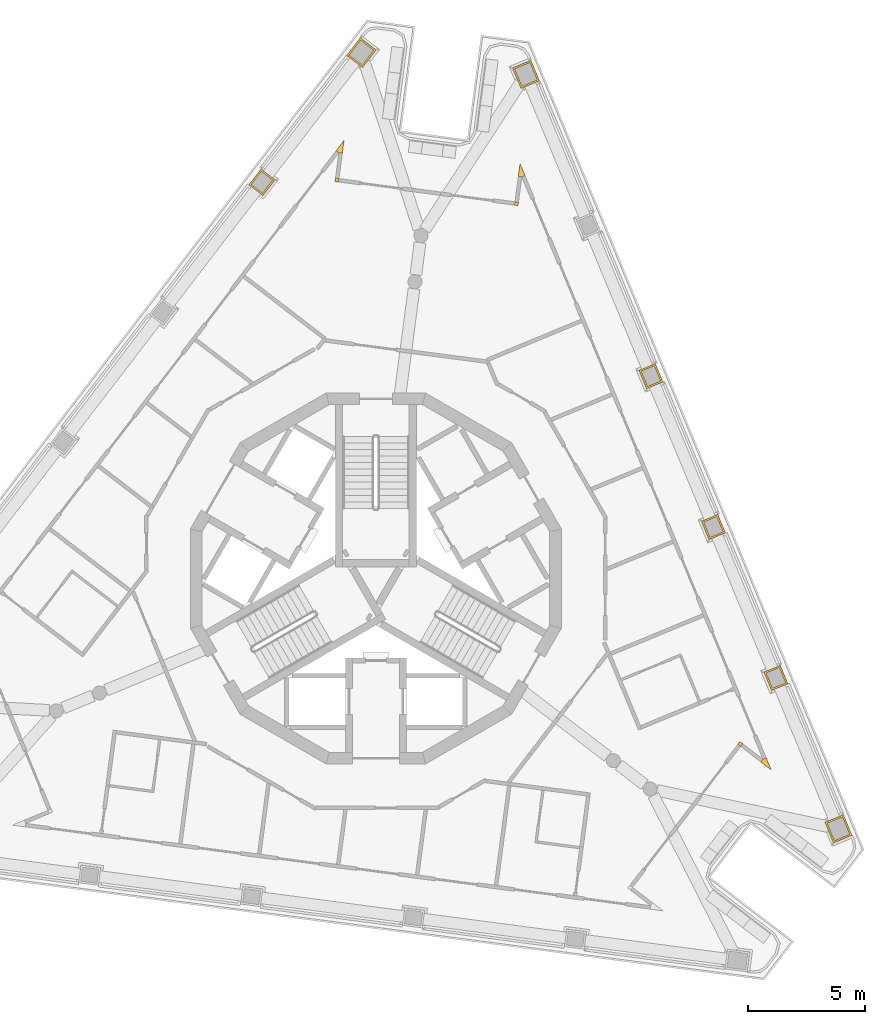
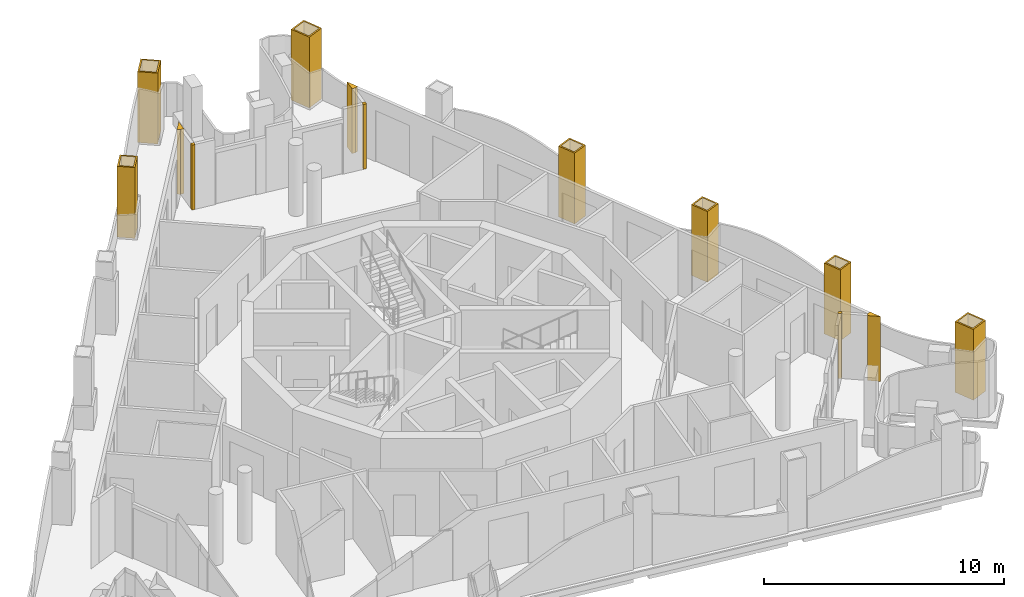
# One storey, part 11 of 12: 13 coverings.
"""IFC4 building model written with IfcOpenShell, lengths in metres."""

from ifc_helpers import new_model, si_unit, direction, frame, origin, place, context, subcontext, project, spatial, polyline, outline, extrude, material, layer, layer_set, type_object, element, save


model = new_model("IFC4")

# Units and contexts
model_context = context("Model", 3, precision=1e-05, world=origin(), true_north=direction((0.0, 1.0)))
body_context = subcontext(model_context, "Body", "Model", "MODEL_VIEW")
ifc_project = project(units=[si_unit("LENGTHUNIT", "METRE"), si_unit("AREAUNIT", "SQUARE_METRE"), si_unit("VOLUMEUNIT", "CUBIC_METRE"), si_unit("PLANEANGLEUNIT", "RADIAN"), si_unit("MASSUNIT", "GRAM", prefix="KILO")], contexts=[model_context])

# Site, building, storey
site_placement = place(None, origin())
site = spatial("IfcSite", under=ifc_project, at=site_placement, CompositionType="ELEMENT")
building_placement = place(site_placement, origin())
building = spatial("IfcBuilding", under=site, at=building_placement, Name="Trine Commons Tower", CompositionType="ELEMENT")
storey_placement = place(building_placement, frame((0.0, 0.0, 275.39990234375)))
storey = spatial("IfcBuildingStorey", under=building, at=storey_placement, Name="L72", CompositionType="ELEMENT", Elevation=275.39990234375)

# Coverings
ifc_material_1 = material(Name="Aluminium-framed insulated wall panel", Category="aluminium")
ifc_layer_1 = layer(ifc_material_1, 0.14990234375)
ifc_layer_set_1 = layer_set([ifc_layer_1], Name="Aluminium-framed insulated wall panel")
covering_type_1 = type_object("IfcCoveringType", Name="Glazing corner post, aluminium", PredefinedType="CLADDING", material=ifc_layer_set_1)
covering_1_placement = place(storey_placement, origin())
element("IfcCovering", 1, at=covering_1_placement, inside=storey, type_object=covering_type_1, Name="Glazing corner post 8-02", PredefinedType="CLADDING", context=body_context, shape_type="SweptSolid", body=[
    extrude(outline(polyline([(78.41845703125, 80.671875), (78.567138671875, 80.652099609375), (78.64013671875, 81.207275390625), (78.29931640625, 80.76318359375), (78.41845703125, 80.671875), (78.41845703125, 80.671875)])), origin(), (0.0, 0.0, 1.0), 3.300048828125),
])
covering_2_placement = place(storey_placement, origin())
element("IfcCovering", 2, at=covering_2_placement, inside=storey, type_object=covering_type_1, Name="Glazing corner post 8-03", PredefinedType="CLADDING", context=body_context, shape_type="SweptSolid", body=[
    extrude(outline(polyline([(78.40576171875, 79.427001953125), (78.42529296875, 79.57568359375), (78.276611328125, 79.59521484375), (78.257080078125, 79.446533203125), (78.40576171875, 79.427001953125)])), origin(), (0.0, 0.0, 1.0), 3.300048828125),
])
covering_3_placement = place(storey_placement, origin())
element("IfcCovering", 3, at=covering_3_placement, inside=storey, type_object=covering_type_1, Name="Glazing corner post 8-04", PredefinedType="CLADDING", context=body_context, shape_type="SweptSolid", body=[
    extrude(outline(polyline([(85.9208984375, 78.437744140625), (86.069580078125, 78.418212890625), (86.089111328125, 78.56689453125), (85.9404296875, 78.58642578125), (85.9208984375, 78.437744140625)])), origin(), (0.0, 0.0, 1.0), 3.300048828125),
])
covering_4_placement = place(storey_placement, origin())
element("IfcCovering", 4, at=covering_4_placement, inside=storey, type_object=covering_type_1, Name="Glazing corner post 8-05", PredefinedType="CLADDING", context=body_context, shape_type="SweptSolid", body=[
    extrude(outline(polyline([(86.082275390625, 79.662841796875), (86.23095703125, 79.643310546875), (86.369384765625, 79.70068359375), (86.1552734375, 80.2177734375), (86.082275390625, 79.662841796875)])), origin(), (0.0, 0.0, 1.0), 3.300048828125),
])
covering_5_placement = place(storey_placement, origin())
element("IfcCovering", 5, at=covering_5_placement, inside=storey, type_object=covering_type_1, Name="Glazing corner post 8-06", PredefinedType="CLADDING", context=body_context, shape_type="SweptSolid", body=[
    extrude(outline(polyline([(96.436767578125, 54.664794921875), (96.880859375, 54.32421875), (96.66650390625, 54.84130859375), (96.528076171875, 54.783935546875), (96.436767578125, 54.664794921875)])), origin(), (0.0, 0.0, 1.0), 3.300048828125),
])
covering_6_placement = place(storey_placement, origin())
element("IfcCovering", 6, at=covering_6_placement, inside=storey, type_object=covering_type_1, Name="Glazing corner post 8-07", PredefinedType="CLADDING", context=body_context, shape_type="SweptSolid", body=[
    extrude(outline(polyline([(95.456298828125, 55.4169921875), (95.575439453125, 55.32568359375), (95.666748046875, 55.44482421875), (95.547607421875, 55.5361328125), (95.456298828125, 55.4169921875)])), origin(), (0.0, 0.0, 1.0), 3.300048828125),
])
ifc_material_2 = material(Name="Limestone, honed", Category="masonry")
ifc_layer_2 = layer(ifc_material_2, 0.074951171875)
ifc_layer_set_2 = layer_set([ifc_layer_2], Name="Limestone, honed")
covering_type_2 = type_object("IfcCoveringType", Name="Limestone column cladding 75", PredefinedType="CLADDING", material=ifc_layer_set_2)
covering_7_placement = place(storey_placement, origin())
element("IfcCovering", 7, at=covering_7_placement, inside=storey, type_object=covering_type_2, Name="Limestone pier cladding 8-11", PredefinedType="CLADDING", context=body_context, shape_type="SweptSolid", body=[
    extrude(outline(polyline([(75.691650390625, 79.52490234375), (75.0966796875, 79.9814453125), (74.579345703125, 79.30712890625), (75.17431640625, 78.8505859375), (75.691650390625, 79.52490234375)]), holes=[polyline([(75.586669921875, 79.510986328125), (75.110595703125, 79.876220703125), (74.684326171875, 79.321044921875), (75.160400390625, 78.955810546875), (75.586669921875, 79.510986328125)])]), origin(), (0.0, 0.0, 1.0), 3.60009765625),
])
covering_8_placement = place(storey_placement, origin())
element("IfcCovering", 8, at=covering_8_placement, inside=storey, type_object=covering_type_2, Name="Limestone pier cladding 8-12", PredefinedType="CLADDING", context=body_context, shape_type="SweptSolid", body=[
    extrude(outline(polyline([(80.006591796875, 85.06591796875), (79.332275390625, 85.58349609375), (78.75390625, 84.829833984375), (79.42822265625, 84.312255859375), (80.006591796875, 85.06591796875)]), holes=[polyline([(79.9013671875, 85.05224609375), (79.345947265625, 85.478271484375), (78.85888671875, 84.843505859375), (79.414306640625, 84.41748046875), (79.9013671875, 85.05224609375)])]), origin(), (0.0, 0.0, 1.0), 3.60009765625),
])
covering_9_placement = place(storey_placement, origin())
element("IfcCovering", 9, at=covering_9_placement, inside=storey, type_object=covering_type_2, Name="Limestone pier cladding 8-13", PredefinedType="CLADDING", context=body_context, shape_type="SweptSolid", body=[
    extrude(outline(polyline([(86.619384765625, 84.6240234375), (85.834228515625, 84.298828125), (86.19775390625, 83.421142578125), (86.98291015625, 83.746337890625), (86.619384765625, 84.6240234375)]), holes=[polyline([(86.578857421875, 84.526123046875), (85.93212890625, 84.25830078125), (86.23828125, 83.51904296875), (86.885009765625, 83.787109375), (86.578857421875, 84.526123046875)])]), origin(), (0.0, 0.0, 1.0), 3.60009765625),
])
covering_10_placement = place(storey_placement, origin())
element("IfcCovering", 10, at=covering_10_placement, inside=storey, type_object=covering_type_2, Name="Limestone pier cladding 8-15", PredefinedType="CLADDING", context=body_context, shape_type="SweptSolid", body=[
    extrude(outline(polyline([(91.92919921875, 71.6748046875), (91.236083984375, 71.3876953125), (91.5615234375, 70.6025390625), (92.25439453125, 70.8896484375), (91.92919921875, 71.6748046875)]), holes=[polyline([(91.888427734375, 71.576904296875), (91.334228515625, 71.347412109375), (91.60205078125, 70.700439453125), (92.156494140625, 70.93017578125), (91.888427734375, 71.576904296875)])]), origin(), (0.0, 0.0, 1.0), 3.60009765625),
])
covering_11_placement = place(storey_placement, origin())
element("IfcCovering", 11, at=covering_11_placement, inside=storey, type_object=covering_type_2, Name="Limestone pier cladding 8-16", PredefinedType="CLADDING", context=body_context, shape_type="SweptSolid", body=[
    extrude(outline(polyline([(94.597412109375, 65.23291015625), (93.904541015625, 64.94580078125), (94.229736328125, 64.160400390625), (94.922607421875, 64.447509765625), (94.597412109375, 65.23291015625)]), holes=[polyline([(94.556884765625, 65.135009765625), (94.00244140625, 64.9052734375), (94.2705078125, 64.258544921875), (94.82470703125, 64.488037109375), (94.556884765625, 65.135009765625)])]), origin(), (0.0, 0.0, 1.0), 3.60009765625),
])
covering_12_placement = place(storey_placement, origin())
element("IfcCovering", 12, at=covering_12_placement, inside=storey, type_object=covering_type_2, Name="Limestone pier cladding 8-17", PredefinedType="CLADDING", context=body_context, shape_type="SweptSolid", body=[
    extrude(outline(polyline([(97.265625, 58.791015625), (96.57275390625, 58.50390625), (96.898193359375, 57.718505859375), (97.591064453125, 58.005615234375), (97.265625, 58.791015625)]), holes=[polyline([(97.22509765625, 58.69287109375), (96.6708984375, 58.46337890625), (96.938720703125, 57.81640625), (97.492919921875, 58.046142578125), (97.22509765625, 58.69287109375)])]), origin(), (0.0, 0.0, 1.0), 3.60009765625),
])
covering_13_placement = place(storey_placement, origin())
element("IfcCovering", 13, at=covering_13_placement, inside=storey, type_object=covering_type_2, Name="Limestone pier cladding 8-18", PredefinedType="CLADDING", context=body_context, shape_type="SweptSolid", body=[
    extrude(outline(polyline([(99.961181640625, 52.414306640625), (99.17578125, 52.089111328125), (99.539306640625, 51.211181640625), (100.32470703125, 51.53662109375), (99.961181640625, 52.414306640625)]), holes=[polyline([(99.920654296875, 52.31640625), (99.27392578125, 52.04833984375), (99.580078125, 51.309326171875), (100.226806640625, 51.5771484375), (99.920654296875, 52.31640625)])]), origin(), (0.0, 0.0, 1.0), 3.60009765625),
])

save(model, "model.ifc")
